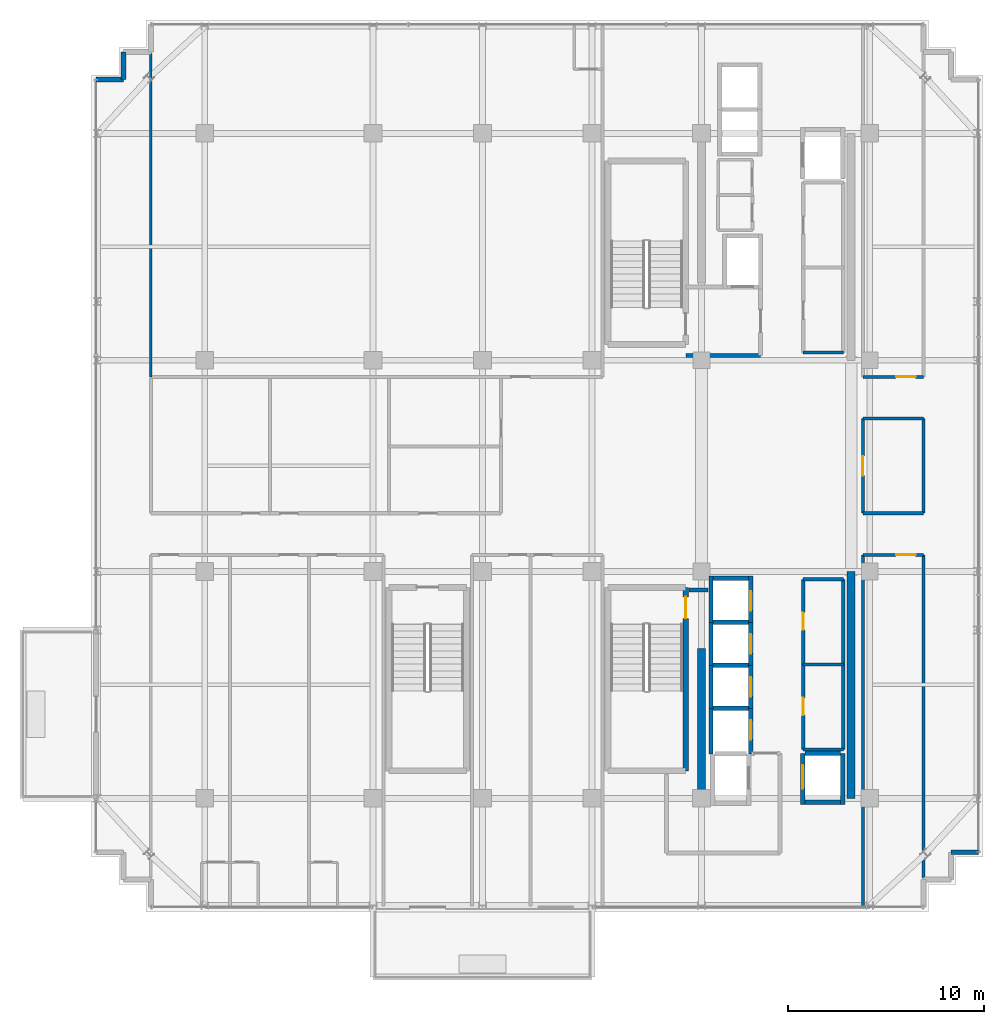
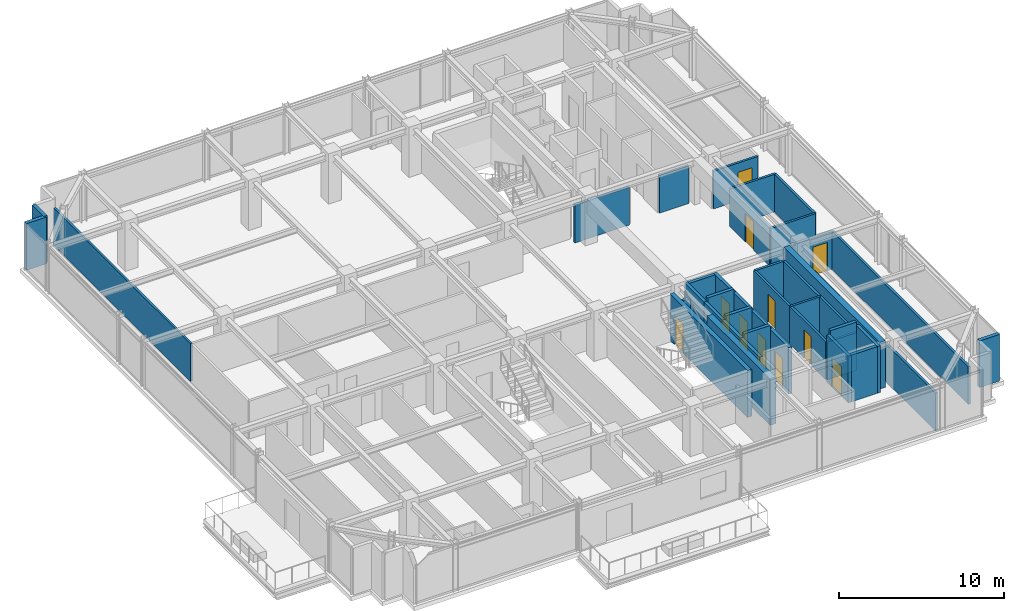
# One storey, part 26 of 31: 41 walls, 11 doors, 11 openings.
"""IFC4 building model written with IfcOpenShell, lengths in metres."""

import ifcopenshell
import ifcopenshell.guid

model = None  # the IFC model being written
_history = None  # IfcOwnerHistory: only IFC2X3 demands one
_inside = {}  # id of a spatial element -> (the spatial element, [elements in it])
_under = {}  # id of a project, library or spatial element -> (it, [spatial elements below it])
_declared = {}  # id of a project -> (the project, [libraries it declares])
_typed = {}  # id of a type object -> (the type object, [elements of that type])
_made_of = {}  # id of a material, layer set ... -> (it, [elements and type objects made of it])


def new_model(schema):
    """Start an empty IFC model of exactly this schema.

    Asked for "IFC4X3", IfcOpenShell would pick the latest addendum, in which some entities
    have other attributes; the version numbers below select the first issue.
    IFC2X3 requires an IfcOwnerHistory on every rooted entity: one is made here for all.
    """
    global model, _history
    if schema == "IFC4X3":
        model = ifcopenshell.file(schema_version=(4, 3, 0, 0))
    else:
        model = ifcopenshell.file(schema=schema)
    _inside.clear()
    _under.clear()
    _declared.clear()
    _typed.clear()
    _made_of.clear()
    _history = None
    if model.schema == "IFC2X3":
        org = make("IfcOrganization", Name="unknown")
        user = make(
            "IfcPersonAndOrganization",
            ThePerson=make("IfcPerson", FamilyName="unknown"),
            TheOrganization=org,
        )
        app = make(
            "IfcApplication",
            ApplicationDeveloper=org,
            Version="unknown",
            ApplicationFullName="unknown",
            ApplicationIdentifier="unknown",
        )
        _history = make(
            "IfcOwnerHistory",
            OwningUser=user,
            OwningApplication=app,
            ChangeAction="ADDED",
            CreationDate=0,
        )
    return model


def make(cls, **values):
    """One entity of the class cls with the attributes given. An attribute that is None is left unset."""
    return model.create_entity(
        cls, **{name: value for name, value in values.items() if value is not None}
    )


def rooted(cls, **values):
    """An entity with a GlobalId (a new one), such as an element, a storey or a relation."""
    return make(cls, GlobalId=ifcopenshell.guid.new(), OwnerHistory=_history, **values)


def si_unit(unit_type, name, prefix=None):
    """IfcSIUnit, for example si_unit("LENGTHUNIT", "METRE", prefix="MILLI")."""
    return make("IfcSIUnit", UnitType=unit_type, Prefix=prefix, Name=name)


def assignment(units):
    """IfcUnitAssignment: the units of a project."""
    return None if units is None else make("IfcUnitAssignment", Units=units)


def point(xyz):
    """IfcCartesianPoint."""
    return None if xyz is None else make("IfcCartesianPoint", Coordinates=xyz)


def direction(xyz):
    """IfcDirection."""
    return None if xyz is None else make("IfcDirection", DirectionRatios=xyz)


def frame(location, z_axis=None, x_axis=None):
    """IfcAxis2Placement3D, a coordinate frame: its origin and axes. An axis left out is left unset."""
    return make(
        "IfcAxis2Placement3D",
        Location=point(location),
        Axis=direction(z_axis),
        RefDirection=direction(x_axis),
    )


def frame_2d(location, x_axis=None):
    """IfcAxis2Placement2D, a coordinate frame in the plane: its origin and x axis."""
    return make(
        "IfcAxis2Placement2D", Location=point(location), RefDirection=direction(x_axis)
    )


def origin():
    """The frame at (0, 0, 0) with its axes left unset."""
    return frame((0.0, 0.0, 0.0))


def place(relative_to, where):
    """IfcLocalPlacement: puts the frame where relative to a parent placement (None: the world)."""
    return make(
        "IfcLocalPlacement", PlacementRelTo=relative_to, RelativePlacement=where
    )


def context(
    kind, dimensions, precision=None, world=None, true_north=None, identifier=None
):
    """IfcGeometricRepresentationContext, for example the 3D "Model" context."""
    return make(
        "IfcGeometricRepresentationContext",
        ContextIdentifier=identifier,
        ContextType=kind,
        CoordinateSpaceDimension=dimensions,
        Precision=precision,
        WorldCoordinateSystem=world,
        TrueNorth=true_north,
    )


def subcontext(parent, identifier, kind, view, scale=None):
    """IfcGeometricRepresentationSubContext, for example "Body" below "Model"."""
    return make(
        "IfcGeometricRepresentationSubContext",
        ContextIdentifier=identifier,
        ContextType=kind,
        ParentContext=parent,
        TargetScale=scale,
        TargetView=view,
    )


def project(units=None, contexts=None):
    """IfcProject with its units and contexts."""
    return rooted(
        "IfcProject",
        Name="project",
        RepresentationContexts=contexts,
        UnitsInContext=assignment(units),
    )


def spatial(cls, under=None, at=None, **own):
    """A site, building, storey or space (cls), placed at a placement, below another one or the project."""
    s = rooted(cls, ObjectPlacement=at, **own)
    if under is not None:
        _under.setdefault(under.id(), (under, []))[1].append(s)
    return s


def profile(cls, at=None, kind="AREA", **sizes):
    """A parametric profile (cls). Its sizes go by their IFC names, for example OverallWidth=200.0."""
    return make(cls, ProfileType=kind, Position=at, **sizes)


def rectangle(**sizes):
    """IfcRectangleProfileDef."""
    return profile("IfcRectangleProfileDef", **sizes)


def extrude(swept, where, along, depth):
    """IfcExtrudedAreaSolid: the profile swept, set in the frame where, extruded along a direction by depth."""
    return make(
        "IfcExtrudedAreaSolid",
        SweptArea=swept,
        Position=where,
        ExtrudedDirection=direction(along),
        Depth=depth,
    )


def shape(context_of_items, identifier, shape_type, items):
    """IfcShapeRepresentation: the items that make up one representation, for example the "Body"."""
    return make(
        "IfcShapeRepresentation",
        ContextOfItems=context_of_items,
        RepresentationIdentifier=identifier,
        RepresentationType=shape_type,
        Items=items,
    )


def source(mapping_origin, context_of_items, identifier, shape_type, items):
    """IfcRepresentationMap: a shape defined once, which mapped items show again and again."""
    return make(
        "IfcRepresentationMap",
        MappingOrigin=mapping_origin,
        MappedRepresentation=shape(context_of_items, identifier, shape_type, items),
    )


def transform(
    local_origin,
    x_axis=None,
    y_axis=None,
    z_axis=None,
    scale=None,
    scale2=None,
    scale3=None,
    uniform=True,
):
    """IfcCartesianTransformationOperator3D, or its non-uniform kind. x_axis, y_axis, z_axis: its Axis1, 2, 3."""
    if uniform:
        return make(
            "IfcCartesianTransformationOperator3D",
            Axis1=direction(x_axis),
            Axis2=direction(y_axis),
            LocalOrigin=point(local_origin),
            Scale=scale,
            Axis3=direction(z_axis),
        )
    return make(
        "IfcCartesianTransformationOperator3DnonUniform",
        Axis1=direction(x_axis),
        Axis2=direction(y_axis),
        LocalOrigin=point(local_origin),
        Scale=scale,
        Axis3=direction(z_axis),
        Scale2=scale2,
        Scale3=scale3,
    )


def mapped(mapping_source, mapping_target):
    """IfcMappedItem: shows the shape of a source again, moved by a transform."""
    return make(
        "IfcMappedItem", MappingSource=mapping_source, MappingTarget=mapping_target
    )


def material(Name=None, Category=None):
    """IfcMaterial."""
    return make("IfcMaterial", Name=Name, Category=Category)


def layer(
    of_material, thickness, ventilated=None, Name=None, Category=None, Priority=None
):
    """IfcMaterialLayer: one layer of a wall or slab, of a material (None: an air gap)."""
    return make(
        "IfcMaterialLayer",
        Material=of_material,
        LayerThickness=thickness,
        IsVentilated=ventilated,
        Name=Name,
        Category=Category,
        Priority=Priority,
    )


def layer_set(layers, Name=None):
    """IfcMaterialLayerSet."""
    return make("IfcMaterialLayerSet", MaterialLayers=layers, LayerSetName=Name)


def made_of(thing, what):
    """Note that an element or type object is made of a material, layer set ...; save() writes the relation."""
    if what is not None:
        _made_of.setdefault(what.id(), (what, []))[1].append(thing)
    return thing


def type_object(cls, material=None, **own):
    """A type object (cls), such as IfcWallType, which elements share."""
    return made_of(rooted(cls, **own), material)


def element(
    cls,
    number,
    at=None,
    inside=None,
    cuts=None,
    type_object=None,
    material=None,
    context=None,
    identifier="Body",
    shape_type=None,
    held_by="IfcProductDefinitionShape",
    body=None,
    shapes=None,
    **own,
):
    """One element of the class cls, such as IfcWall. Its Tag is "e" and its number.

    at: its placement. inside: the storey or other place that contains it. cuts: it is an
    opening in that element (IfcRelVoidsElement). A single representation is given by context,
    identifier, shape_type and body (its items); several are given by shapes. held_by: the class
    of the entity that holds the representations. save() writes the other relations.
    """
    e = rooted(cls, Tag="e%d" % number, ObjectPlacement=at, **own)
    if body is not None:
        shapes = [shape(context, identifier, shape_type, body)]
    if shapes is not None:
        e.Representation = make(held_by, Representations=shapes)
    if inside is not None:
        _inside.setdefault(inside.id(), (inside, []))[1].append(e)
    if cuts is not None:
        rooted(
            "IfcRelVoidsElement", RelatingBuildingElement=cuts, RelatedOpeningElement=e
        )
    if type_object is not None:
        _typed.setdefault(type_object.id(), (type_object, []))[1].append(e)
    return made_of(e, material)


def fill(opening, filler):
    """IfcRelFillsElement: the door or window that sits in an opening."""
    return rooted(
        "IfcRelFillsElement",
        RelatingOpeningElement=opening,
        RelatedBuildingElement=filler,
    )


def aggregate(whole, parts):
    """IfcRelAggregates: a whole, such as a stair, and the parts it consists of."""
    return rooted("IfcRelAggregates", RelatingObject=whole, RelatedObjects=parts)


def save(model, path):
    """Write the relations noted so far, then the file.

    IfcRelAggregates (storeys below a building ...), IfcRelContainedInSpatialStructure (elements
    in a storey), IfcRelDefinesByType, IfcRelAssociatesMaterial and IfcRelDeclares: one each for
    every whole, place, type object, material and project.
    """
    for whole, parts in _under.values():
        aggregate(whole, parts)
    for where, things in _inside.values():
        rooted(
            "IfcRelContainedInSpatialStructure",
            RelatedElements=things,
            RelatingStructure=where,
        )
    for kind, things in _typed.values():
        rooted("IfcRelDefinesByType", RelatedObjects=things, RelatingType=kind)
    for what, things in _made_of.values():
        rooted("IfcRelAssociatesMaterial", RelatedObjects=things, RelatingMaterial=what)
    for by, libraries in _declared.values():
        rooted("IfcRelDeclares", RelatingContext=by, RelatedDefinitions=libraries)
    model.write(path)


model = new_model("IFC4")

# Units and contexts
model_context = context("Model", 3, precision=1e-05, world=origin(), true_north=direction((0.0, 1.0)))
body_context = subcontext(model_context, "Body", "Model", "MODEL_VIEW")
ifc_project = project(units=[si_unit("LENGTHUNIT", "METRE"), si_unit("AREAUNIT", "SQUARE_METRE"), si_unit("VOLUMEUNIT", "CUBIC_METRE"), si_unit("PLANEANGLEUNIT", "RADIAN"), si_unit("MASSUNIT", "GRAM", prefix="KILO")], contexts=[model_context])

# Site, building, storey
site_placement = place(None, origin())
site = spatial("IfcSite", under=ifc_project, at=site_placement, CompositionType="ELEMENT")
building_placement = place(site_placement, origin())
building = spatial("IfcBuilding", under=site, at=building_placement, Name="Nahalor Promenade Grand Hotel", CompositionType="ELEMENT")
storey_placement = place(building_placement, frame((0.0, 0.0, 277.550048828125)))
storey = spatial("IfcBuildingStorey", under=building, at=storey_placement, Name="L71", CompositionType="ELEMENT", Elevation=277.550048828125)

# Walls
ifc_material_1 = material(Name="Concrete B-50 (C40/50)", Category="concrete")
ifc_layer_1 = layer(ifc_material_1, 0.39990234375)
ifc_layer_set_1 = layer_set([ifc_layer_1], Name="Concrete B-50 (C40/50)")
wall_type_1 = type_object("IfcWallType", Name="Wall-CoreShear-400", PredefinedType="SHEAR", material=ifc_layer_set_1)
shared_shape_1 = source(origin(), body_context, "Body", "SweptSolid", [
    extrude(rectangle(XDim=7.64990234375, YDim=0.39990234375, at=frame_2d((3.824951171875, 0.0))), origin(), (0.0, 0.0, 1.0), 3.449951171875),
])
wall_1_placement = place(storey_placement, frame((8.39990234375, -17.0, 0.0), z_axis=(0.0, 0.0, 1.0), x_axis=(0.0, 1.0, 0.0)))
element("IfcWall", 1, at=wall_1_placement, inside=storey, type_object=wall_type_1, Name="CWALL-L71-SW", PredefinedType="SHEAR", context=body_context, shape_type="MappedRepresentation", body=[
    mapped(shared_shape_1, transform((0.0, 0.0, 0.0), scale=1.0)),
])
shared_shape_2 = source(origin(), body_context, "Body", "SweptSolid", [
    extrude(rectangle(XDim=11.60009765625, YDim=0.39990234375, at=frame_2d((5.800048828125, 0.0))), origin(), (0.0, 0.0, 1.0), 3.449951171875),
])
wall_2_placement = place(storey_placement, frame((16.050048828125, -17.0, 0.0), z_axis=(0.0, 0.0, 1.0), x_axis=(0.0, 1.0, 0.0)))
element("IfcWall", 2, at=wall_2_placement, inside=storey, type_object=wall_type_1, Name="CWALL-L71-SE", PredefinedType="SHEAR", context=body_context, shape_type="MappedRepresentation", body=[
    mapped(shared_shape_2, transform((0.0, 0.0, 0.0), scale=1.0)),
])

# Wall, opening, door
ifc_layer_2 = layer(ifc_material_1, 0.300048828125)
ifc_layer_set_2 = layer_set([ifc_layer_2], Name="Concrete B-50 (C40/50)")
wall_type_2 = type_object("IfcWallType", Name="Wall-ShaftShear-300", PredefinedType="SHEAR", material=ifc_layer_set_2)
shared_shape_3 = source(origin(), body_context, "Body", "SweptSolid", [
    extrude(rectangle(XDim=9.380126953125, YDim=0.300048828125, at=frame_2d((4.68994140625, 0.0))), origin(), (0.0, 0.0, 1.0), 3.449951171875),
])
wall_3_placement = place(storey_placement, frame((7.590087890625, -15.590087890625, 0.0), z_axis=(0.0, 0.0, 1.0), x_axis=(0.0, 1.0, 0.0)))
wall_3 = element("IfcWall", 3, at=wall_3_placement, inside=storey, type_object=wall_type_2, Name="L71 Exit Stair ST2 Shaft Wall E", PredefinedType="SHEAR", context=body_context, shape_type="MappedRepresentation", body=[
    mapped(shared_shape_3, transform((0.0, 0.0, 0.0), scale=1.0)),
])
opening_1_placement = place(wall_3_placement, frame((7.7900390625, 0.0, 0.0)))
opening_1 = element("IfcOpeningElement", 4, at=opening_1_placement, cuts=wall_3, Name="Opening D-ST1", PredefinedType="OPENING", context=body_context, shape_type="SweptSolid", body=[
    extrude(rectangle(XDim=1.10009765625, YDim=2.14990234375, at=frame_2d((0.550048828125, 1.074951171875))), frame((0.0, 0.159912109375, 0.0), z_axis=(0.0, -1.0, 0.0), x_axis=(1.0, 0.0, 0.0)), (0.0, 0.0, 1.0), 0.320068359375),
])
ifc_material_2 = material(Name="Steel S355JR", Category="steel")
door_type_1 = type_object("IfcDoorType", Name="Door-StairFire-1100", OperationType="NOTDEFINED", PredefinedType="DOOR", material=ifc_material_2)
shared_shape_4 = source(origin(), body_context, "Body", "SweptSolid", [
    extrude(rectangle(XDim=1.10009765625, YDim=2.14990234375, at=frame_2d((0.550048828125, 1.074951171875))), frame((0.0, 0.02490234375, 0.0), z_axis=(0.0, -1.0, 0.0), x_axis=(1.0, 0.0, 0.0)), (0.0, 0.0, 1.0), 0.050048828125),
])
door_1_placement = place(opening_1_placement, origin())
door_1 = element("IfcDoor", 5, at=door_1_placement, inside=storey, type_object=door_type_1, Name="DR-STAIR-ST2-L71", OperationType="SINGLE_SWING_RIGHT", OverallHeight=2.14990234375, OverallWidth=1.10009765625, PredefinedType="DOOR", context=body_context, shape_type="MappedRepresentation", body=[
    mapped(shared_shape_4, transform((0.0, 0.0, 0.0), scale=1.0)),
])
fill(opening_1, door_1)

# Wall
ifc_layer_3 = layer(ifc_material_1, 0.219970703125)
ifc_layer_set_3 = layer_set([ifc_layer_3], Name="Concrete B-50 (C40/50)")
wall_type_3 = type_object("IfcWallType", Name="Wall-LiftShaft-220", PredefinedType="SHEAR", material=ifc_layer_set_3)
shared_shape_5 = source(origin(), body_context, "Body", "SweptSolid", [
    extrude(rectangle(XDim=2.360107421875, YDim=0.219970703125, at=frame_2d((1.18017578125, 0.0))), origin(), (0.0, 0.0, 1.0), 3.449951171875),
])
wall_4_placement = place(storey_placement, frame((8.8798828125, -8.0, 0.0), z_axis=(0.0, 0.0, 1.0), x_axis=(0.0, 1.0, 0.0)))
element("IfcWall", 6, at=wall_4_placement, inside=storey, type_object=wall_type_3, Name="L71 Lift PL9 Hoistway Wall W", PredefinedType="SHEAR", context=body_context, shape_type="MappedRepresentation", body=[
    mapped(shared_shape_5, transform((0.0, 0.0, 0.0), scale=1.0)),
])

# Wall, opening, door
wall_5_placement = place(storey_placement, frame((10.919921875, -8.0, 0.0), z_axis=(0.0, 0.0, 1.0), x_axis=(0.0, 1.0, 0.0)))
wall_5 = element("IfcWall", 7, at=wall_5_placement, inside=storey, type_object=wall_type_3, Name="L71 Lift PL9 Hoistway Wall E", PredefinedType="SHEAR", context=body_context, shape_type="MappedRepresentation", body=[
    mapped(shared_shape_5, transform((0.0, 0.0, 0.0), scale=1.0)),
])
opening_2_placement = place(wall_5_placement, frame((0.60009765625, 0.0, 0.0)))
opening_2 = element("IfcOpeningElement", 8, at=opening_2_placement, cuts=wall_5, Name="Opening LD-01", PredefinedType="OPENING", context=body_context, shape_type="SweptSolid", body=[
    extrude(rectangle(XDim=1.0, YDim=2.199951171875, at=frame_2d((0.5, 1.10009765625))), frame((0.0, 0.119873046875, 0.0), z_axis=(0.0, -1.0, 0.0), x_axis=(1.0, 0.0, 0.0)), (0.0, 0.0, 1.0), 0.239990234375),
])
door_type_2 = type_object("IfcDoorType", Name="Door-LiftLanding-1000", OperationType="DOUBLE_DOOR_SLIDING", PredefinedType="DOOR", material=ifc_material_2)
shared_shape_6 = source(origin(), body_context, "Body", "SweptSolid", [
    extrude(rectangle(XDim=1.0, YDim=2.199951171875, at=frame_2d((0.5, 1.10009765625))), frame((0.0, 0.02490234375, 0.0), z_axis=(0.0, -1.0, 0.0), x_axis=(1.0, 0.0, 0.0)), (0.0, 0.0, 1.0), 0.050048828125),
])
door_2_placement = place(opening_2_placement, frame((1.0, 0.0, 0.0), z_axis=(0.0, 0.0, 1.0), x_axis=(-1.0, 0.0, 0.0)))
door_2 = element("IfcDoor", 9, at=door_2_placement, inside=storey, type_object=door_type_2, Name="DR-LIFT-PL9-L71", OperationType="DOUBLE_DOOR_SLIDING", OverallHeight=2.199951171875, OverallWidth=1.0, PredefinedType="DOOR", context=body_context, shape_type="MappedRepresentation", body=[
    mapped(shared_shape_6, transform((0.0, 0.0, 0.0), scale=1.0)),
])
fill(opening_2, door_2)

# Walls
shared_shape_7 = source(origin(), body_context, "Body", "SweptSolid", [
    extrude(rectangle(XDim=1.820068359375, YDim=0.219970703125, at=frame_2d((0.91015625, 0.0))), origin(), (0.0, 0.0, 1.0), 3.449951171875),
])
for number, where, z_axis, x_axis, name in (
    (10, (8.989990234375, -5.75, 0.0), (0.0, 0.0, 1.0), (1.0, 0.0, 0.0), "L71 Lift PL9 Hoistway Wall N"),
    (11, (13.68994140625, -17.199951171875, 0.0), (0.0, 0.0, 1.0), (1.0, 0.0, 0.0), "L71 Lift SV2 Hoistway Wall S"),
):
    element("IfcWall", number, at=place(storey_placement, frame(where, z_axis=z_axis, x_axis=x_axis)), inside=storey, type_object=wall_type_3, Name=name, PredefinedType="SHEAR", context=body_context, shape_type="MappedRepresentation", body=[
        mapped(shared_shape_7, transform((0.0, 0.0, 0.0), scale=1.0)),
    ])
shared_shape_8 = source(origin(), body_context, "Body", "SweptSolid", [
    extrude(rectangle(XDim=2.199951171875, YDim=0.219970703125, at=frame_2d((1.10009765625, 0.0))), origin(), (0.0, 0.0, 1.0), 3.449951171875),
])
wall_6_placement = place(storey_placement, frame((8.8798828125, -10.199951171875, 0.0), z_axis=(0.0, 0.0, 1.0), x_axis=(0.0, 1.0, 0.0)))
element("IfcWall", 12, at=wall_6_placement, inside=storey, type_object=wall_type_3, Name="L71 Lift PL10 Hoistway Wall W", PredefinedType="SHEAR", context=body_context, shape_type="MappedRepresentation", body=[
    mapped(shared_shape_8, transform((0.0, 0.0, 0.0), scale=1.0)),
])

# Wall, opening, door
wall_7_placement = place(storey_placement, frame((10.919921875, -10.199951171875, 0.0), z_axis=(0.0, 0.0, 1.0), x_axis=(0.0, 1.0, 0.0)))
wall_7 = element("IfcWall", 13, at=wall_7_placement, inside=storey, type_object=wall_type_3, Name="L71 Lift PL10 Hoistway Wall E", PredefinedType="SHEAR", context=body_context, shape_type="MappedRepresentation", body=[
    mapped(shared_shape_8, transform((0.0, 0.0, 0.0), scale=1.0)),
])
opening_3_placement = place(wall_7_placement, frame((0.60009765625, 0.0, 0.0)))
opening_3 = element("IfcOpeningElement", 14, at=opening_3_placement, cuts=wall_7, Name="Opening LD-01", PredefinedType="OPENING", context=body_context, shape_type="SweptSolid", body=[
    extrude(rectangle(XDim=1.0, YDim=2.199951171875, at=frame_2d((0.5, 1.10009765625))), frame((0.0, 0.119873046875, 0.0), z_axis=(0.0, -1.0, 0.0), x_axis=(1.0, 0.0, 0.0)), (0.0, 0.0, 1.0), 0.239990234375),
])
door_3_placement = place(opening_3_placement, frame((1.0, 0.0, 0.0), z_axis=(0.0, 0.0, 1.0), x_axis=(-1.0, 0.0, 0.0)))
door_3 = element("IfcDoor", 15, at=door_3_placement, inside=storey, type_object=door_type_2, Name="DR-LIFT-PL10-L71", OperationType="DOUBLE_DOOR_SLIDING", OverallHeight=2.199951171875, OverallWidth=1.0, PredefinedType="DOOR", context=body_context, shape_type="MappedRepresentation", body=[
    mapped(shared_shape_6, transform((0.0, 0.0, 0.0), scale=1.0)),
])
fill(opening_3, door_3)

# Wall
wall_8_placement = place(storey_placement, frame((8.8798828125, -12.39990234375, 0.0), z_axis=(0.0, 0.0, 1.0), x_axis=(0.0, 1.0, 0.0)))
element("IfcWall", 16, at=wall_8_placement, inside=storey, type_object=wall_type_3, Name="L71 Lift PL11 Hoistway Wall W", PredefinedType="SHEAR", context=body_context, shape_type="MappedRepresentation", body=[
    mapped(shared_shape_8, transform((0.0, 0.0, 0.0), scale=1.0)),
])

# Wall, opening, door
wall_9_placement = place(storey_placement, frame((10.919921875, -12.39990234375, 0.0), z_axis=(0.0, 0.0, 1.0), x_axis=(0.0, 1.0, 0.0)))
wall_9 = element("IfcWall", 17, at=wall_9_placement, inside=storey, type_object=wall_type_3, Name="L71 Lift PL11 Hoistway Wall E", PredefinedType="SHEAR", context=body_context, shape_type="MappedRepresentation", body=[
    mapped(shared_shape_8, transform((0.0, 0.0, 0.0), scale=1.0)),
])
opening_4_placement = place(wall_9_placement, frame((0.60009765625, 0.0, 0.0)))
opening_4 = element("IfcOpeningElement", 18, at=opening_4_placement, cuts=wall_9, Name="Opening LD-01", PredefinedType="OPENING", context=body_context, shape_type="SweptSolid", body=[
    extrude(rectangle(XDim=1.0, YDim=2.199951171875, at=frame_2d((0.5, 1.10009765625))), frame((0.0, 0.119873046875, 0.0), z_axis=(0.0, -1.0, 0.0), x_axis=(1.0, 0.0, 0.0)), (0.0, 0.0, 1.0), 0.239990234375),
])
door_4_placement = place(opening_4_placement, frame((1.0, 0.0, 0.0), z_axis=(0.0, 0.0, 1.0), x_axis=(-1.0, 0.0, 0.0)))
door_4 = element("IfcDoor", 19, at=door_4_placement, inside=storey, type_object=door_type_2, Name="DR-LIFT-PL11-L71", OperationType="DOUBLE_DOOR_SLIDING", OverallHeight=2.199951171875, OverallWidth=1.0, PredefinedType="DOOR", context=body_context, shape_type="MappedRepresentation", body=[
    mapped(shared_shape_6, transform((0.0, 0.0, 0.0), scale=1.0)),
])
fill(opening_4, door_4)

# Walls
shared_shape_9 = source(origin(), body_context, "Body", "SweptSolid", [
    extrude(rectangle(XDim=1.820068359375, YDim=0.219970703125, at=frame_2d((0.91015625, 0.0))), origin(), (0.0, 0.0, 1.0), 3.75),
])
for number, where, z_axis, x_axis, name in (
    (20, (8.989990234375, -8.0, 0.0), (0.0, 0.0, 1.0), (1.0, 0.0, 0.0), "L71 Lift PL10 Hoistway Wall N"),
    (21, (8.989990234375, -10.199951171875, 0.0), (0.0, 0.0, 1.0), (1.0, 0.0, 0.0), "L71 Lift PL11 Hoistway Wall N"),
    (22, (8.989990234375, -12.39990234375, 0.0), (0.0, 0.0, 1.0), (1.0, 0.0, 0.0), "L71 Lift PL12 Hoistway Wall N"),
    (23, (13.68994140625, -14.699951171875, 0.0), (0.0, 0.0, 1.0), (1.0, 0.0, 0.0), "L71 Lift SV2 Hoistway Wall N"),
):
    element("IfcWall", number, at=place(storey_placement, frame(where, z_axis=z_axis, x_axis=x_axis)), inside=storey, type_object=wall_type_3, Name=name, PredefinedType="SHEAR", context=body_context, shape_type="MappedRepresentation", body=[
        mapped(shared_shape_9, transform((0.0, 0.0, 0.0), scale=1.0)),
    ])
shared_shape_10 = source(origin(), body_context, "Body", "SweptSolid", [
    extrude(rectangle(XDim=2.3251953125, YDim=0.219970703125, at=frame_2d((1.16259765625, 0.0))), origin(), (0.0, 0.0, 1.0), 3.449951171875),
])
wall_10_placement = place(storey_placement, frame((8.8798828125, -14.72509765625, 0.0), z_axis=(0.0, 0.0, 1.0), x_axis=(0.0, 1.0, 0.0)))
element("IfcWall", 24, at=wall_10_placement, inside=storey, type_object=wall_type_3, Name="L71 Lift PL12 Hoistway Wall W", PredefinedType="SHEAR", context=body_context, shape_type="MappedRepresentation", body=[
    mapped(shared_shape_10, transform((0.0, 0.0, 0.0), scale=1.0)),
])

# Wall, opening, door
wall_11_placement = place(storey_placement, frame((10.919921875, -14.72509765625, 0.0), z_axis=(0.0, 0.0, 1.0), x_axis=(0.0, 1.0, 0.0)))
wall_11 = element("IfcWall", 25, at=wall_11_placement, inside=storey, type_object=wall_type_3, Name="L71 Lift PL12 Hoistway Wall E", PredefinedType="SHEAR", context=body_context, shape_type="MappedRepresentation", body=[
    mapped(shared_shape_10, transform((0.0, 0.0, 0.0), scale=1.0)),
])
opening_5_placement = place(wall_11_placement, frame((0.72509765625, 0.0, 0.0)))
opening_5 = element("IfcOpeningElement", 26, at=opening_5_placement, cuts=wall_11, Name="Opening LD-01", PredefinedType="OPENING", context=body_context, shape_type="SweptSolid", body=[
    extrude(rectangle(XDim=1.0, YDim=2.199951171875, at=frame_2d((0.5, 1.10009765625))), frame((0.0, 0.119873046875, 0.0), z_axis=(0.0, -1.0, 0.0), x_axis=(1.0, 0.0, 0.0)), (0.0, 0.0, 1.0), 0.239990234375),
])
door_5_placement = place(opening_5_placement, frame((1.0, 0.0, 0.0), z_axis=(0.0, 0.0, 1.0), x_axis=(-1.0, 0.0, 0.0)))
door_5 = element("IfcDoor", 27, at=door_5_placement, inside=storey, type_object=door_type_2, Name="DR-LIFT-PL12-L71", OperationType="DOUBLE_DOOR_SLIDING", OverallHeight=2.199951171875, OverallWidth=1.0, PredefinedType="DOOR", context=body_context, shape_type="MappedRepresentation", body=[
    mapped(shared_shape_6, transform((0.0, 0.0, 0.0), scale=1.0)),
])
fill(opening_5, door_5)

shared_shape_11 = source(origin(), body_context, "Body", "SweptSolid", [
    extrude(rectangle(XDim=2.610107421875, YDim=0.219970703125, at=frame_2d((1.30517578125, 0.0))), origin(), (0.0, 0.0, 1.0), 3.449951171875),
])
wall_12_placement = place(storey_placement, frame((13.580078125, -17.31005859375, 0.0), z_axis=(0.0, 0.0, 1.0), x_axis=(0.0, 1.0, 0.0)))
wall_12 = element("IfcWall", 28, at=wall_12_placement, inside=storey, type_object=wall_type_3, Name="L71 Lift SV2 Hoistway Wall W", PredefinedType="SHEAR", context=body_context, shape_type="MappedRepresentation", body=[
    mapped(shared_shape_11, transform((0.0, 0.0, 0.0), scale=1.0)),
])
opening_6_placement = place(wall_12_placement, frame((0.81005859375, 0.0, 0.0)))
opening_6 = element("IfcOpeningElement", 29, at=opening_6_placement, cuts=wall_12, Name="Opening LD-03", PredefinedType="OPENING", context=body_context, shape_type="SweptSolid", body=[
    extrude(rectangle(XDim=1.199951171875, YDim=2.199951171875, at=frame_2d((0.60009765625, 1.10009765625))), frame((0.0, 0.119873046875, 0.0), z_axis=(0.0, -1.0, 0.0), x_axis=(1.0, 0.0, 0.0)), (0.0, 0.0, 1.0), 0.239990234375),
])
door_type_3 = type_object("IfcDoorType", Name="Door-LiftService-1200", OperationType="DOUBLE_DOOR_SLIDING", PredefinedType="DOOR", material=ifc_material_2)
shared_shape_12 = source(origin(), body_context, "Body", "SweptSolid", [
    extrude(rectangle(XDim=1.199951171875, YDim=2.199951171875, at=frame_2d((0.60009765625, 1.10009765625))), frame((0.0, 0.02490234375, 0.0), z_axis=(0.0, -1.0, 0.0), x_axis=(1.0, 0.0, 0.0)), (0.0, 0.0, 1.0), 0.050048828125),
])
door_6_placement = place(opening_6_placement, origin())
door_6 = element("IfcDoor", 30, at=door_6_placement, inside=storey, type_object=door_type_3, Name="DR-LIFT-SV2-L71", OperationType="DOUBLE_DOOR_SLIDING", OverallHeight=2.199951171875, OverallWidth=1.199951171875, PredefinedType="DOOR", context=body_context, shape_type="MappedRepresentation", body=[
    mapped(shared_shape_12, transform((0.0, 0.0, 0.0), scale=1.0)),
])
fill(opening_6, door_6)

# Walls
wall_13_placement = place(storey_placement, frame((15.6201171875, -17.31005859375, 0.0), z_axis=(0.0, 0.0, 1.0), x_axis=(0.0, 1.0, 0.0)))
element("IfcWall", 31, at=wall_13_placement, inside=storey, type_object=wall_type_3, Name="L71 Lift SV2 Hoistway Wall E", PredefinedType="SHEAR", context=body_context, shape_type="MappedRepresentation", body=[
    mapped(shared_shape_11, transform((0.0, 0.0, 0.0), scale=1.0)),
])
ifc_material_3 = material(Name="Concrete B-40 (C32/40)", Category="concrete")
ifc_layer_4 = layer(ifc_material_3, 0.25)
ifc_layer_set_4 = layer_set([ifc_layer_4], Name="Concrete B-40 (C32/40)")
wall_type_4 = type_object("IfcWallType", Name="Wall-BronzePier-250", PredefinedType="STANDARD", material=ifc_layer_set_4)
shared_shape_13 = source(origin(), body_context, "Body", "SweptSolid", [
    extrude(rectangle(XDim=1.400146484375, YDim=0.25, at=frame_2d((0.7001953125, 0.0))), origin(), (0.0, 0.0, 1.0), 3.449951171875),
])
for number, where, z_axis, x_axis, name in (
    (32, (21.159912109375, -19.760009765625, 0.0), (0.0, 0.0, 1.0), (1.0, 0.0, 0.0), "W-L71-SR-04"),
    (33, (-22.56005859375, 19.760009765625, 0.0), (0.0, 0.0, 1.0), (1.0, 0.0, 0.0), "W-L71-SR-12"),
):
    element("IfcWall", number, at=place(storey_placement, frame(where, z_axis=z_axis, x_axis=x_axis)), inside=storey, type_object=wall_type_4, Name=name, PredefinedType="STANDARD", context=body_context, shape_type="MappedRepresentation", body=[
        mapped(shared_shape_13, transform((0.0, 0.0, 0.0), scale=1.0)),
    ])
shared_shape_14 = source(origin(), body_context, "Body", "SweptSolid", [
    extrude(rectangle(XDim=1.39990234375, YDim=0.25, at=frame_2d((0.699951171875, 0.0))), origin(), (0.0, 0.0, 1.0), 3.449951171875),
])
wall_14_placement = place(storey_placement, frame((-21.159912109375, 19.760009765625, 0.0), z_axis=(0.0, 0.0, 1.0), x_axis=(0.0, 1.0, 0.0)))
element("IfcWall", 34, at=wall_14_placement, inside=storey, type_object=wall_type_4, Name="W-L71-SR-11", PredefinedType="STANDARD", context=body_context, shape_type="MappedRepresentation", body=[
    mapped(shared_shape_14, transform((0.0, 0.0, 0.0), scale=1.0)),
])
ifc_layer_5 = layer(ifc_material_3, 0.199951171875)
ifc_layer_set_5 = layer_set([ifc_layer_5], Name="Concrete B-40 (C32/40)")
wall_type_5 = type_object("IfcWallType", Name="Wall-PartFire-200", PredefinedType="PARTITIONING", material=ifc_layer_set_5)
shared_shape_15 = source(origin(), body_context, "Body", "SweptSolid", [
    extrude(rectangle(XDim=3.81982421875, YDim=0.199951171875, at=frame_2d((1.909912109375, 0.0))), origin(), (0.0, 0.0, 1.0), 2.7900390625),
])
wall_15_placement = place(storey_placement, frame((7.60009765625, 5.64990234375, 0.0), z_axis=(0.0, 0.0, 1.0), x_axis=(1.0, 0.0, 0.0)))
element("IfcWall", 35, at=wall_15_placement, inside=storey, type_object=wall_type_5, Name="W-L71-FF1-S", PredefinedType="PARTITIONING", context=body_context, shape_type="MappedRepresentation", body=[
    mapped(shared_shape_15, transform((0.0, 0.0, 0.0), scale=1.0)),
])
shared_shape_16 = source(origin(), body_context, "Body", "SweptSolid", [
    extrude(rectangle(XDim=0.969970703125, YDim=0.199951171875, at=frame_2d((0.48486328125, 0.0))), origin(), (0.0, 0.0, 1.0), 2.7900390625),
])
wall_16_placement = place(storey_placement, frame((7.77001953125, -6.35009765625, 0.0), z_axis=(0.0, 0.0, 1.0), x_axis=(1.0, 0.0, 0.0)))
element("IfcWall", 36, at=wall_16_placement, inside=storey, type_object=wall_type_5, Name="W-L71-FF2-N2", PredefinedType="PARTITIONING", context=body_context, shape_type="MappedRepresentation", body=[
    mapped(shared_shape_16, transform((0.0, 0.0, 0.0), scale=1.0)),
])
ifc_material_4 = material(Name="Acoustic Mineral Gypsum", Category="gypsum")
ifc_layer_6 = layer(ifc_material_4, 0.159912109375)
ifc_layer_set_6 = layer_set([ifc_layer_6], Name="Acoustic Mineral Gypsum")
wall_type_6 = type_object("IfcWallType", Name="Wall-PartCorridor-160", PredefinedType="PARTITIONING", material=ifc_layer_set_6)
shared_shape_17 = source(origin(), body_context, "Body", "SweptSolid", [
    extrude(rectangle(XDim=2.0498046875, YDim=0.159912109375, at=frame_2d((1.02490234375, 0.0))), origin(), (0.0, 0.0, 1.0), 2.7900390625),
])
for number, where, z_axis, x_axis, name in (
    (37, (13.60009765625, 5.800048828125, 0.0), (0.0, 0.0, 1.0), (1.0, 0.0, 0.0), "W-L71-FRB1A-S"),
    (38, (13.60009765625, -14.5, 0.0), (0.0, 0.0, 1.0), (1.0, 0.0, 0.0), "W-L71-FRB2A-S"),
    (39, (13.60009765625, -10.14990234375, 0.0), (0.0, 0.0, 1.0), (1.0, 0.0, 0.0), "W-L71-FRB2A-N"),
    (40, (13.60009765625, -5.800048828125, 0.0), (0.0, 0.0, 1.0), (1.0, 0.0, 0.0), "W-L71-FRB2B-N"),
):
    element("IfcWall", number, at=place(storey_placement, frame(where, z_axis=z_axis, x_axis=x_axis)), inside=storey, type_object=wall_type_6, Name=name, PredefinedType="PARTITIONING", context=body_context, shape_type="MappedRepresentation", body=[
        mapped(shared_shape_17, transform((0.0, 0.0, 0.0), scale=1.0)),
    ])

# Wall, opening, door
shared_shape_18 = source(origin(), body_context, "Body", "SweptSolid", [
    extrude(rectangle(XDim=4.349853515625, YDim=0.159912109375, at=frame_2d((2.1748046875, 0.0))), origin(), (0.0, 0.0, 1.0), 2.7900390625),
])
wall_17_placement = place(storey_placement, frame((13.60009765625, -10.14990234375, 0.0), z_axis=(0.0, 0.0, 1.0), x_axis=(0.0, 1.0, 0.0)))
wall_17 = element("IfcWall", 41, at=wall_17_placement, inside=storey, type_object=wall_type_6, Name="W-L71-FRB2B-W", PredefinedType="PARTITIONING", context=body_context, shape_type="MappedRepresentation", body=[
    mapped(shared_shape_18, transform((0.0, 0.0, 0.0), scale=1.0)),
])
opening_7_placement = place(wall_17_placement, frame((1.760009765625, 0.0, 0.0)))
opening_7 = element("IfcOpeningElement", 42, at=opening_7_placement, cuts=wall_17, Name="Opening D-03", PredefinedType="OPENING", context=body_context, shape_type="SweptSolid", body=[
    extrude(rectangle(XDim=0.8798828125, YDim=2.10009765625, at=frame_2d((0.43994140625, 1.050048828125))), frame((0.0, 0.08984375, 0.0), z_axis=(0.0, -1.0, 0.0), x_axis=(1.0, 0.0, 0.0)), (0.0, 0.0, 1.0), 0.179931640625),
])
ifc_material_5 = material(Name="Fire-Rated Timber Composite", Category="wood")
door_type_4 = type_object("IfcDoorType", Name="Door-BathSwing-880", OperationType="NOTDEFINED", PredefinedType="DOOR", material=ifc_material_5)
shared_shape_19 = source(origin(), body_context, "Body", "SweptSolid", [
    extrude(rectangle(XDim=0.8798828125, YDim=2.10009765625, at=frame_2d((0.43994140625, 1.050048828125))), frame((0.0, 0.02490234375, 0.0), z_axis=(0.0, -1.0, 0.0), x_axis=(1.0, 0.0, 0.0)), (0.0, 0.0, 1.0), 0.050048828125),
])
door_7_placement = place(opening_7_placement, frame((0.8798828125, 0.0, 0.0), z_axis=(0.0, 0.0, 1.0), x_axis=(-1.0, 0.0, 0.0)))
door_7 = element("IfcDoor", 43, at=door_7_placement, inside=storey, type_object=door_type_4, Name="DR-L71-FRB2B", OperationType="SINGLE_SWING_RIGHT", OverallHeight=2.10009765625, OverallWidth=0.8798828125, PredefinedType="DOOR", context=body_context, shape_type="MappedRepresentation", body=[
    mapped(shared_shape_19, transform((0.0, 0.0, 0.0), scale=1.0)),
])
fill(opening_7, door_7)

# Wall
wall_18_placement = place(storey_placement, frame((15.64990234375, -10.14990234375, 0.0), z_axis=(0.0, 0.0, 1.0), x_axis=(0.0, 1.0, 0.0)))
element("IfcWall", 44, at=wall_18_placement, inside=storey, type_object=wall_type_6, Name="W-L71-FRB2B-E", PredefinedType="PARTITIONING", context=body_context, shape_type="MappedRepresentation", body=[
    mapped(shared_shape_18, transform((0.0, 0.0, 0.0), scale=1.0)),
])

# Wall, opening, door
shared_shape_20 = source(origin(), body_context, "Body", "SweptSolid", [
    extrude(rectangle(XDim=4.35009765625, YDim=0.159912109375, at=frame_2d((2.175048828125, 0.0))), origin(), (0.0, 0.0, 1.0), 2.7900390625),
])
wall_19_placement = place(storey_placement, frame((13.60009765625, -14.5, 0.0), z_axis=(0.0, 0.0, 1.0), x_axis=(0.0, 1.0, 0.0)))
wall_19 = element("IfcWall", 45, at=wall_19_placement, inside=storey, type_object=wall_type_6, Name="W-L71-FRB2A-W", PredefinedType="PARTITIONING", context=body_context, shape_type="MappedRepresentation", body=[
    mapped(shared_shape_20, transform((0.0, 0.0, 0.0), scale=1.0)),
])
opening_8_placement = place(wall_19_placement, frame((1.760009765625, 0.0, 0.0)))
opening_8 = element("IfcOpeningElement", 46, at=opening_8_placement, cuts=wall_19, Name="Opening D-03", PredefinedType="OPENING", context=body_context, shape_type="SweptSolid", body=[
    extrude(rectangle(XDim=0.8798828125, YDim=2.10009765625, at=frame_2d((0.43994140625, 1.050048828125))), frame((0.0, 0.08984375, 0.0), z_axis=(0.0, -1.0, 0.0), x_axis=(1.0, 0.0, 0.0)), (0.0, 0.0, 1.0), 0.179931640625),
])
door_8_placement = place(opening_8_placement, frame((0.8798828125, 0.0, 0.0), z_axis=(0.0, 0.0, 1.0), x_axis=(-1.0, 0.0, 0.0)))
door_8 = element("IfcDoor", 47, at=door_8_placement, inside=storey, type_object=door_type_4, Name="DR-L71-FRB2A", OperationType="SINGLE_SWING_LEFT", OverallHeight=2.10009765625, OverallWidth=0.8798828125, PredefinedType="DOOR", context=body_context, shape_type="MappedRepresentation", body=[
    mapped(shared_shape_19, transform((0.0, 0.0, 0.0), scale=1.0)),
])
fill(opening_8, door_8)

# Wall
wall_20_placement = place(storey_placement, frame((15.64990234375, -14.5, 0.0), z_axis=(0.0, 0.0, 1.0), x_axis=(0.0, 1.0, 0.0)))
element("IfcWall", 48, at=wall_20_placement, inside=storey, type_object=wall_type_6, Name="W-L71-FRB2A-E", PredefinedType="PARTITIONING", context=body_context, shape_type="MappedRepresentation", body=[
    mapped(shared_shape_20, transform((0.0, 0.0, 0.0), scale=1.0)),
])

# Wall, opening, door
shared_shape_21 = source(origin(), body_context, "Body", "SweptSolid", [
    extrude(rectangle(XDim=3.110107421875, YDim=0.159912109375, at=frame_2d((1.55517578125, 0.0))), origin(), (0.0, 0.0, 1.0), 2.7900390625),
])
wall_21_placement = place(storey_placement, frame((16.64990234375, 4.550048828125, 0.0), z_axis=(0.0, 0.0, 1.0), x_axis=(1.0, 0.0, 0.0)))
wall_21 = element("IfcWall", 49, at=wall_21_placement, inside=storey, type_object=wall_type_6, Name="W-L71-ENE-S", PredefinedType="PARTITIONING", context=body_context, shape_type="MappedRepresentation", body=[
    mapped(shared_shape_21, transform((0.0, 0.0, 0.0), scale=1.0)),
])
opening_9_placement = place(wall_21_placement, frame((1.700927734375, 0.0, 0.0)))
opening_9 = element("IfcOpeningElement", 50, at=opening_9_placement, cuts=wall_21, Name="Opening D-04", PredefinedType="OPENING", context=body_context, shape_type="SweptSolid", body=[
    extrude(rectangle(XDim=1.0, YDim=2.10009765625, at=frame_2d((0.5, 1.050048828125))), frame((0.0, 0.08984375, 0.0), z_axis=(0.0, -1.0, 0.0), x_axis=(1.0, 0.0, 0.0)), (0.0, 0.0, 1.0), 0.179931640625),
])
door_type_5 = type_object("IfcDoorType", Name="Door-ServiceFire-1000", OperationType="NOTDEFINED", PredefinedType="DOOR", material=ifc_material_2)
shared_shape_22 = source(origin(), body_context, "Body", "SweptSolid", [
    extrude(rectangle(XDim=1.0, YDim=2.10009765625, at=frame_2d((0.5, 1.050048828125))), frame((0.0, 0.02490234375, 0.0), z_axis=(0.0, -1.0, 0.0), x_axis=(1.0, 0.0, 0.0)), (0.0, 0.0, 1.0), 0.050048828125),
])
door_9_placement = place(opening_9_placement, origin())
door_9 = element("IfcDoor", 51, at=door_9_placement, inside=storey, type_object=door_type_5, Name="DR-L71-ENE", OperationType="SINGLE_SWING_LEFT", OverallHeight=2.10009765625, OverallWidth=1.0, PredefinedType="DOOR", context=body_context, shape_type="MappedRepresentation", body=[
    mapped(shared_shape_22, transform((0.0, 0.0, 0.0), scale=1.0)),
])
fill(opening_9, door_9)

wall_22_placement = place(storey_placement, frame((16.64990234375, -4.550048828125, 0.0), z_axis=(0.0, 0.0, 1.0), x_axis=(1.0, 0.0, 0.0)))
wall_22 = element("IfcWall", 52, at=wall_22_placement, inside=storey, type_object=wall_type_6, Name="W-L71-ESE-N", PredefinedType="PARTITIONING", context=body_context, shape_type="MappedRepresentation", body=[
    mapped(shared_shape_21, transform((0.0, 0.0, 0.0), scale=1.0)),
])
opening_10_placement = place(wall_22_placement, frame((1.700927734375, 0.0, 0.0)))
opening_10 = element("IfcOpeningElement", 53, at=opening_10_placement, cuts=wall_22, Name="Opening D-04", PredefinedType="OPENING", context=body_context, shape_type="SweptSolid", body=[
    extrude(rectangle(XDim=1.0, YDim=2.10009765625, at=frame_2d((0.5, 1.050048828125))), frame((0.0, 0.08984375, 0.0), z_axis=(0.0, -1.0, 0.0), x_axis=(1.0, 0.0, 0.0)), (0.0, 0.0, 1.0), 0.179931640625),
])
door_10_placement = place(opening_10_placement, frame((1.0, 0.0, 0.0), z_axis=(0.0, 0.0, 1.0), x_axis=(-1.0, 0.0, 0.0)))
door_10 = element("IfcDoor", 54, at=door_10_placement, inside=storey, type_object=door_type_5, Name="DR-L71-ESE", OperationType="SINGLE_SWING_RIGHT", OverallHeight=2.10009765625, OverallWidth=1.0, PredefinedType="DOOR", context=body_context, shape_type="MappedRepresentation", body=[
    mapped(shared_shape_22, transform((0.0, 0.0, 0.0), scale=1.0)),
])
fill(opening_10, door_10)

# Walls
for number, where, z_axis, x_axis, name in (
    (55, (16.64990234375, -2.419921875, 0.0), (0.0, 0.0, 1.0), (1.0, 0.0, 0.0), "W-L71-ECW-S"),
    (56, (16.64990234375, 2.419921875, 0.0), (0.0, 0.0, 1.0), (1.0, 0.0, 0.0), "W-L71-ECW-N"),
):
    element("IfcWall", number, at=place(storey_placement, frame(where, z_axis=z_axis, x_axis=x_axis)), inside=storey, type_object=wall_type_6, Name=name, PredefinedType="PARTITIONING", context=body_context, shape_type="MappedRepresentation", body=[
        mapped(shared_shape_21, transform((0.0, 0.0, 0.0), scale=1.0)),
    ])
shared_shape_23 = source(origin(), body_context, "Body", "SweptSolid", [
    extrude(rectangle(XDim=17.949951171875, YDim=0.159912109375, at=frame_2d((8.97509765625, 0.0))), origin(), (0.0, 0.0, 1.0), 2.7900390625),
])
wall_23_placement = place(storey_placement, frame((16.64990234375, -22.5, 0.0), z_axis=(0.0, 0.0, 1.0), x_axis=(0.0, 1.0, 0.0)))
element("IfcWall", 57, at=wall_23_placement, inside=storey, type_object=wall_type_6, Name="W-L71-ESE-W", PredefinedType="PARTITIONING", context=body_context, shape_type="MappedRepresentation", body=[
    mapped(shared_shape_23, transform((0.0, 0.0, 0.0), scale=1.0)),
])
shared_shape_24 = source(origin(), body_context, "Body", "SweptSolid", [
    extrude(rectangle(XDim=16.530029296875, YDim=0.159912109375, at=frame_2d((8.26513671875, 0.0))), origin(), (0.0, 0.0, 1.0), 2.7900390625),
])
wall_24_placement = place(storey_placement, frame((19.760009765625, -21.080078125, 0.0), z_axis=(0.0, 0.0, 1.0), x_axis=(0.0, 1.0, 0.0)))
element("IfcWall", 58, at=wall_24_placement, inside=storey, type_object=wall_type_6, Name="W-L71-ESE-E", PredefinedType="PARTITIONING", context=body_context, shape_type="MappedRepresentation", body=[
    mapped(shared_shape_24, transform((0.0, 0.0, 0.0), scale=1.0)),
])
ifc_layer_7 = layer(ifc_material_4, 0.139892578125)
ifc_layer_set_7 = layer_set([ifc_layer_7], Name="Acoustic Mineral Gypsum")
wall_type_7 = type_object("IfcWallType", Name="Wall-PartSuite-140", PredefinedType="PARTITIONING", material=ifc_layer_set_7)
shared_shape_25 = source(origin(), body_context, "Body", "SweptSolid", [
    extrude(rectangle(XDim=16.530029296875, YDim=0.139892578125, at=frame_2d((8.26513671875, 0.0))), origin(), (0.0, 0.0, 1.0), 2.7900390625),
])
wall_25_placement = place(storey_placement, frame((-19.760009765625, 4.550048828125, 0.0), z_axis=(0.0, 0.0, 1.0), x_axis=(0.0, 1.0, 0.0)))
element("IfcWall", 59, at=wall_25_placement, inside=storey, type_object=wall_type_7, Name="W-L71-NW-ENDW", PredefinedType="PARTITIONING", context=body_context, shape_type="MappedRepresentation", body=[
    mapped(shared_shape_25, transform((0.0, 0.0, 0.0), scale=1.0)),
])

# Wall, opening, door
shared_shape_26 = source(origin(), body_context, "Body", "SweptSolid", [
    extrude(rectangle(XDim=4.83984375, YDim=0.159912109375, at=frame_2d((2.419921875, 0.0))), origin(), (0.0, 0.0, 1.0), 2.7900390625),
])
wall_26_placement = place(storey_placement, frame((16.64990234375, -2.419921875, 0.0), z_axis=(0.0, 0.0, 1.0), x_axis=(0.0, 1.0, 0.0)))
wall_26 = element("IfcWall", 60, at=wall_26_placement, inside=storey, type_object=wall_type_6, Name="W-L71-ECW-W", PredefinedType="PARTITIONING", context=body_context, shape_type="MappedRepresentation", body=[
    mapped(shared_shape_26, transform((0.0, 0.0, 0.0), scale=1.0)),
])
opening_11_placement = place(wall_26_placement, frame((1.919921875, 0.0, 0.0)))
opening_11 = element("IfcOpeningElement", 61, at=opening_11_placement, cuts=wall_26, Name="Opening D-04", PredefinedType="OPENING", context=body_context, shape_type="SweptSolid", body=[
    extrude(rectangle(XDim=1.0, YDim=2.10009765625, at=frame_2d((0.5, 1.050048828125))), frame((0.0, 0.08984375, 0.0), z_axis=(0.0, -1.0, 0.0), x_axis=(1.0, 0.0, 0.0)), (0.0, 0.0, 1.0), 0.179931640625),
])
door_11_placement = place(opening_11_placement, frame((1.0, 0.0, 0.0), z_axis=(0.0, 0.0, 1.0), x_axis=(-1.0, 0.0, 0.0)))
door_11 = element("IfcDoor", 62, at=door_11_placement, inside=storey, type_object=door_type_5, Name="DR-L71-ECW", OperationType="SINGLE_SWING_LEFT", OverallHeight=2.10009765625, OverallWidth=1.0, PredefinedType="DOOR", context=body_context, shape_type="MappedRepresentation", body=[
    mapped(shared_shape_22, transform((0.0, 0.0, 0.0), scale=1.0)),
])
fill(opening_11, door_11)

# Wall
wall_27_placement = place(storey_placement, frame((19.760009765625, -2.419921875, 0.0), z_axis=(0.0, 0.0, 1.0), x_axis=(0.0, 1.0, 0.0)))
element("IfcWall", 63, at=wall_27_placement, inside=storey, type_object=wall_type_6, Name="W-L71-ECW-E", PredefinedType="PARTITIONING", context=body_context, shape_type="MappedRepresentation", body=[
    mapped(shared_shape_26, transform((0.0, 0.0, 0.0), scale=1.0)),
])

save(model, "model.ifc")
